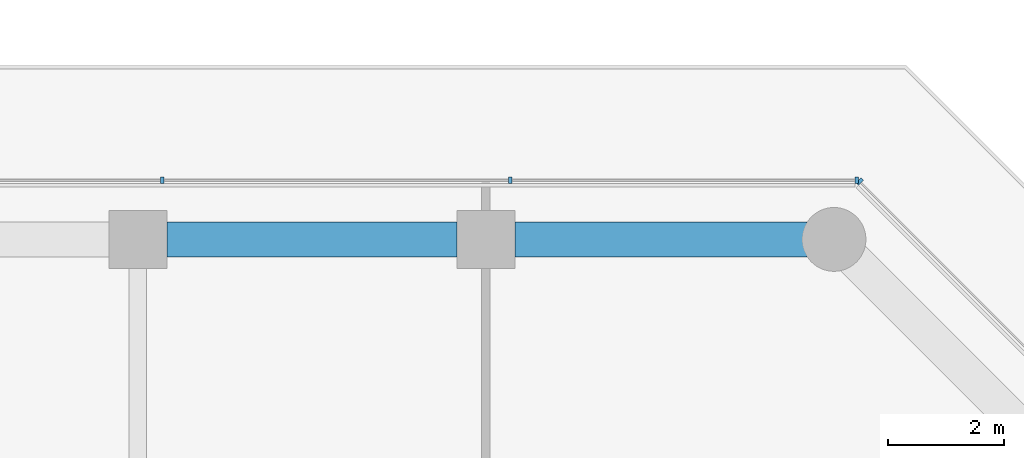
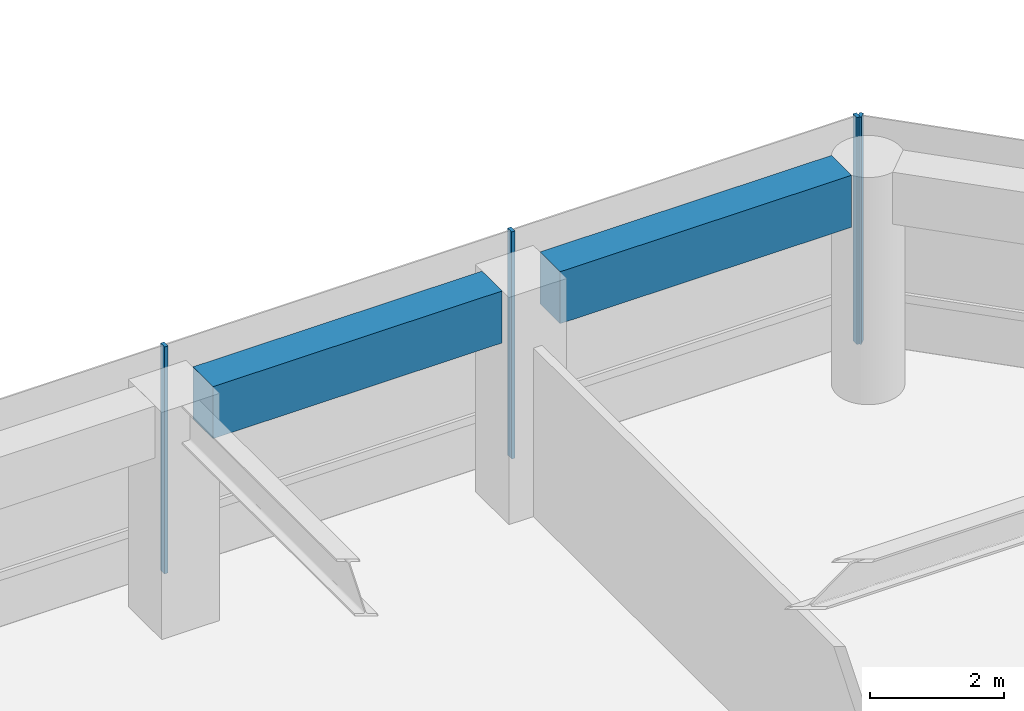
# One storey, part 10 of 24: 4 members, 2 beams, 2 elements without a shape of their own.
"""IFC4 building model written with IfcOpenShell, lengths in metres."""

import ifcopenshell
import ifcopenshell.guid

model = None  # the IFC model being written
_history = None  # IfcOwnerHistory: only IFC2X3 demands one
_inside = {}  # id of a spatial element -> (the spatial element, [elements in it])
_under = {}  # id of a project, library or spatial element -> (it, [spatial elements below it])
_declared = {}  # id of a project -> (the project, [libraries it declares])
_typed = {}  # id of a type object -> (the type object, [elements of that type])
_made_of = {}  # id of a material, layer set ... -> (it, [elements and type objects made of it])


def new_model(schema):
    """Start an empty IFC model of exactly this schema.

    Asked for "IFC4X3", IfcOpenShell would pick the latest addendum, in which some entities
    have other attributes; the version numbers below select the first issue.
    IFC2X3 requires an IfcOwnerHistory on every rooted entity: one is made here for all.
    """
    global model, _history
    if schema == "IFC4X3":
        model = ifcopenshell.file(schema_version=(4, 3, 0, 0))
    else:
        model = ifcopenshell.file(schema=schema)
    _inside.clear()
    _under.clear()
    _declared.clear()
    _typed.clear()
    _made_of.clear()
    _history = None
    if model.schema == "IFC2X3":
        org = make("IfcOrganization", Name="unknown")
        user = make(
            "IfcPersonAndOrganization",
            ThePerson=make("IfcPerson", FamilyName="unknown"),
            TheOrganization=org,
        )
        app = make(
            "IfcApplication",
            ApplicationDeveloper=org,
            Version="unknown",
            ApplicationFullName="unknown",
            ApplicationIdentifier="unknown",
        )
        _history = make(
            "IfcOwnerHistory",
            OwningUser=user,
            OwningApplication=app,
            ChangeAction="ADDED",
            CreationDate=0,
        )
    return model


def make(cls, **values):
    """One entity of the class cls with the attributes given. An attribute that is None is left unset."""
    return model.create_entity(
        cls, **{name: value for name, value in values.items() if value is not None}
    )


def rooted(cls, **values):
    """An entity with a GlobalId (a new one), such as an element, a storey or a relation."""
    return make(cls, GlobalId=ifcopenshell.guid.new(), OwnerHistory=_history, **values)


def si_unit(unit_type, name, prefix=None):
    """IfcSIUnit, for example si_unit("LENGTHUNIT", "METRE", prefix="MILLI")."""
    return make("IfcSIUnit", UnitType=unit_type, Prefix=prefix, Name=name)


def assignment(units):
    """IfcUnitAssignment: the units of a project."""
    return None if units is None else make("IfcUnitAssignment", Units=units)


def point(xyz):
    """IfcCartesianPoint."""
    return None if xyz is None else make("IfcCartesianPoint", Coordinates=xyz)


def direction(xyz):
    """IfcDirection."""
    return None if xyz is None else make("IfcDirection", DirectionRatios=xyz)


def frame(location, z_axis=None, x_axis=None):
    """IfcAxis2Placement3D, a coordinate frame: its origin and axes. An axis left out is left unset."""
    return make(
        "IfcAxis2Placement3D",
        Location=point(location),
        Axis=direction(z_axis),
        RefDirection=direction(x_axis),
    )


def frame_2d(location, x_axis=None):
    """IfcAxis2Placement2D, a coordinate frame in the plane: its origin and x axis."""
    return make(
        "IfcAxis2Placement2D", Location=point(location), RefDirection=direction(x_axis)
    )


def origin():
    """The frame at (0, 0, 0) with its axes left unset."""
    return frame((0.0, 0.0, 0.0))


def origin_2d():
    """The frame at (0, 0) in the plane with its x axis left unset."""
    return frame_2d((0.0, 0.0))


def place(relative_to, where):
    """IfcLocalPlacement: puts the frame where relative to a parent placement (None: the world)."""
    return make(
        "IfcLocalPlacement", PlacementRelTo=relative_to, RelativePlacement=where
    )


def context(
    kind, dimensions, precision=None, world=None, true_north=None, identifier=None
):
    """IfcGeometricRepresentationContext, for example the 3D "Model" context."""
    return make(
        "IfcGeometricRepresentationContext",
        ContextIdentifier=identifier,
        ContextType=kind,
        CoordinateSpaceDimension=dimensions,
        Precision=precision,
        WorldCoordinateSystem=world,
        TrueNorth=true_north,
    )


def subcontext(parent, identifier, kind, view, scale=None):
    """IfcGeometricRepresentationSubContext, for example "Body" below "Model"."""
    return make(
        "IfcGeometricRepresentationSubContext",
        ContextIdentifier=identifier,
        ContextType=kind,
        ParentContext=parent,
        TargetScale=scale,
        TargetView=view,
    )


def project(units=None, contexts=None):
    """IfcProject with its units and contexts."""
    return rooted(
        "IfcProject",
        Name="project",
        RepresentationContexts=contexts,
        UnitsInContext=assignment(units),
    )


def spatial(cls, under=None, at=None, **own):
    """A site, building, storey or space (cls), placed at a placement, below another one or the project."""
    s = rooted(cls, ObjectPlacement=at, **own)
    if under is not None:
        _under.setdefault(under.id(), (under, []))[1].append(s)
    return s


def profile(cls, at=None, kind="AREA", **sizes):
    """A parametric profile (cls). Its sizes go by their IFC names, for example OverallWidth=200.0."""
    return make(cls, ProfileType=kind, Position=at, **sizes)


def rectangle(**sizes):
    """IfcRectangleProfileDef."""
    return profile("IfcRectangleProfileDef", **sizes)


def extrude(swept, where, along, depth):
    """IfcExtrudedAreaSolid: the profile swept, set in the frame where, extruded along a direction by depth."""
    return make(
        "IfcExtrudedAreaSolid",
        SweptArea=swept,
        Position=where,
        ExtrudedDirection=direction(along),
        Depth=depth,
    )


def shape(context_of_items, identifier, shape_type, items):
    """IfcShapeRepresentation: the items that make up one representation, for example the "Body"."""
    return make(
        "IfcShapeRepresentation",
        ContextOfItems=context_of_items,
        RepresentationIdentifier=identifier,
        RepresentationType=shape_type,
        Items=items,
    )


def material(Name=None, Category=None):
    """IfcMaterial."""
    return make("IfcMaterial", Name=Name, Category=Category)


def layer(
    of_material, thickness, ventilated=None, Name=None, Category=None, Priority=None
):
    """IfcMaterialLayer: one layer of a wall or slab, of a material (None: an air gap)."""
    return make(
        "IfcMaterialLayer",
        Material=of_material,
        LayerThickness=thickness,
        IsVentilated=ventilated,
        Name=Name,
        Category=Category,
        Priority=Priority,
    )


def layer_set(layers, Name=None):
    """IfcMaterialLayerSet."""
    return make("IfcMaterialLayerSet", MaterialLayers=layers, LayerSetName=Name)


def material_profile(
    of_material, cross_section, Name=None, Category=None, Priority=None
):
    """IfcMaterialProfile: a cross section and its material."""
    return make(
        "IfcMaterialProfile",
        Name=Name,
        Material=of_material,
        Profile=cross_section,
        Priority=Priority,
        Category=Category,
    )


def profile_set(profiles, Name=None, composite=None):
    """IfcMaterialProfileSet."""
    return make(
        "IfcMaterialProfileSet",
        Name=Name,
        MaterialProfiles=profiles,
        CompositeProfile=composite,
    )


def made_of(thing, what):
    """Note that an element or type object is made of a material, layer set ...; save() writes the relation."""
    if what is not None:
        _made_of.setdefault(what.id(), (what, []))[1].append(thing)
    return thing


def type_object(cls, material=None, **own):
    """A type object (cls), such as IfcWallType, which elements share."""
    return made_of(rooted(cls, **own), material)


def element(
    cls,
    number,
    at=None,
    inside=None,
    cuts=None,
    type_object=None,
    material=None,
    context=None,
    identifier="Body",
    shape_type=None,
    held_by="IfcProductDefinitionShape",
    body=None,
    shapes=None,
    **own,
):
    """One element of the class cls, such as IfcWall. Its Tag is "e" and its number.

    at: its placement. inside: the storey or other place that contains it. cuts: it is an
    opening in that element (IfcRelVoidsElement). A single representation is given by context,
    identifier, shape_type and body (its items); several are given by shapes. held_by: the class
    of the entity that holds the representations. save() writes the other relations.
    """
    e = rooted(cls, Tag="e%d" % number, ObjectPlacement=at, **own)
    if body is not None:
        shapes = [shape(context, identifier, shape_type, body)]
    if shapes is not None:
        e.Representation = make(held_by, Representations=shapes)
    if inside is not None:
        _inside.setdefault(inside.id(), (inside, []))[1].append(e)
    if cuts is not None:
        rooted(
            "IfcRelVoidsElement", RelatingBuildingElement=cuts, RelatedOpeningElement=e
        )
    if type_object is not None:
        _typed.setdefault(type_object.id(), (type_object, []))[1].append(e)
    return made_of(e, material)


def aggregate(whole, parts):
    """IfcRelAggregates: a whole, such as a stair, and the parts it consists of."""
    return rooted("IfcRelAggregates", RelatingObject=whole, RelatedObjects=parts)


def save(model, path):
    """Write the relations noted so far, then the file.

    IfcRelAggregates (storeys below a building ...), IfcRelContainedInSpatialStructure (elements
    in a storey), IfcRelDefinesByType, IfcRelAssociatesMaterial and IfcRelDeclares: one each for
    every whole, place, type object, material and project.
    """
    for whole, parts in _under.values():
        aggregate(whole, parts)
    for where, things in _inside.values():
        rooted(
            "IfcRelContainedInSpatialStructure",
            RelatedElements=things,
            RelatingStructure=where,
        )
    for kind, things in _typed.values():
        rooted("IfcRelDefinesByType", RelatedObjects=things, RelatingType=kind)
    for what, things in _made_of.values():
        rooted("IfcRelAssociatesMaterial", RelatedObjects=things, RelatingMaterial=what)
    for by, libraries in _declared.values():
        rooted("IfcRelDeclares", RelatingContext=by, RelatedDefinitions=libraries)
    model.write(path)


model = new_model("IFC4")

# Units and contexts
model_context = context("Model", 3, precision=1e-05, world=origin(), true_north=direction((0.0, 1.0)))
body_context = subcontext(model_context, "Body", "Model", "MODEL_VIEW")
ifc_project = project(units=[si_unit("LENGTHUNIT", "METRE"), si_unit("AREAUNIT", "SQUARE_METRE"), si_unit("VOLUMEUNIT", "CUBIC_METRE"), si_unit("PLANEANGLEUNIT", "RADIAN"), si_unit("MASSUNIT", "GRAM", prefix="KILO")], contexts=[model_context])

# Site, building, storey
site_placement = place(None, origin())
site = spatial("IfcSite", under=ifc_project, at=site_placement, CompositionType="ELEMENT")
building_placement = place(site_placement, origin())
building = spatial("IfcBuilding", under=site, at=building_placement, Name="Welwitschia Terrace Campus", CompositionType="ELEMENT")
storey_placement = place(building_placement, frame((0.0, 0.0, 20.0)))
storey = spatial("IfcBuildingStorey", under=building, at=storey_placement, Name="L04", CompositionType="ELEMENT", Elevation=20.0)

# Curtain wall, member
ifc_material_1 = material(Name="Bronze anodised aluminium", Category="aluminium")
ifc_layer = layer(ifc_material_1, 0.1201171875)
ifc_layer_set = layer_set([ifc_layer], Name="Bronze anodised aluminium")
curtain_wall_type = type_object("IfcCurtainWallType", Name="Curtain wall CW2 tower 6000", PredefinedType="NOTDEFINED", material=ifc_layer_set)
curtain_wall_1_placement = place(storey_placement, origin())
curtain_wall_1 = element("IfcCurtainWall", 1, at=curtain_wall_1_placement, inside=storey, type_object=curtain_wall_type, Name="CW L04.4.0", PredefinedType="NOTDEFINED")
ifc_material_2 = material(Name="Bronze anodised aluminium", Category="aluminium")
ifc_material_profile_1 = material_profile(ifc_material_2, rectangle(XDim=0.1201171875, YDim=0.06005859375, at=origin_2d()))
ifc_profile_set_1 = profile_set([ifc_material_profile_1], Name="Bronze anodised aluminium")
member_type = type_object("IfcMemberType", Name="Mullion 60x120", PredefinedType="MULLION", material=ifc_profile_set_1)
member_1_placement = place(storey_placement, frame((60.443603515625, 20.998779296875, 0.0), z_axis=(0.0, 0.0, 1.0), x_axis=(-0.707106781187, -0.707106781187, 0.0)))
member_1 = element("IfcMember", 2, at=member_1_placement, type_object=member_type, Name="Mullion L04.4.0.2", PredefinedType="MULLION", context=body_context, shape_type="SweptSolid", body=[
    extrude(rectangle(XDim=0.1201171875, YDim=0.06005859375, at=origin_2d()), origin(), (0.0, 0.0, 1.0), 4.14990234375),
])
aggregate(curtain_wall_1, [member_1])

# Curtain wall, members
curtain_wall_2_placement = place(storey_placement, origin())
curtain_wall_2 = element("IfcCurtainWall", 3, at=curtain_wall_2_placement, inside=storey, type_object=curtain_wall_type, Name="CW L04.5.0", PredefinedType="NOTDEFINED")
member_2_placement = place(storey_placement, frame((60.392578125, 21.02001953125, 0.0), z_axis=(0.0, 0.0, 1.0), x_axis=(0.0, -1.0, 0.0)))
member_2 = element("IfcMember", 4, at=member_2_placement, type_object=member_type, Name="Mullion L04.5.0.0", PredefinedType="MULLION", context=body_context, shape_type="SweptSolid", body=[
    extrude(rectangle(XDim=0.1201171875, YDim=0.06005859375, at=origin_2d()), origin(), (0.0, 0.0, 1.0), 4.14990234375),
])
member_3_placement = place(storey_placement, frame((54.422607421875, 21.02001953125, 0.0), z_axis=(0.0, 0.0, 1.0), x_axis=(0.0, -1.0, 0.0)))
member_3 = element("IfcMember", 5, at=member_3_placement, type_object=member_type, Name="Mullion L04.5.0.1", PredefinedType="MULLION", context=body_context, shape_type="SweptSolid", body=[
    extrude(rectangle(XDim=0.1201171875, YDim=0.06005859375, at=origin_2d()), origin(), (0.0, 0.0, 1.0), 4.14990234375),
])
member_4_placement = place(storey_placement, frame((48.422607421875, 21.02001953125, 0.0), z_axis=(0.0, 0.0, 1.0), x_axis=(0.0, -1.0, 0.0)))
member_4 = element("IfcMember", 6, at=member_4_placement, type_object=member_type, Name="Mullion L04.5.0.2", PredefinedType="MULLION", context=body_context, shape_type="SweptSolid", body=[
    extrude(rectangle(XDim=0.1201171875, YDim=0.06005859375, at=origin_2d()), origin(), (0.0, 0.0, 1.0), 4.14990234375),
])
aggregate(curtain_wall_2, [member_2, member_3, member_4])

# Beams
ifc_material_3 = material(Name="Concrete C60/75", Category="concrete")
ifc_material_profile_2 = material_profile(ifc_material_3, rectangle(XDim=0.60009765625, YDim=0.949951171875, at=origin_2d()))
ifc_profile_set_2 = profile_set([ifc_material_profile_2], Name="Concrete C60/75")
beam_type = type_object("IfcBeamType", Name="Ring spandrel 600x950", PredefinedType="SPANDREL", material=ifc_profile_set_2)
beam_1_placement = place(storey_placement, frame((59.53857421875, 20.0, 3.675048828125), z_axis=(-1.0, 0.0, 0.0), x_axis=(0.0, -1.0, 0.0)))
element("IfcBeam", 7, at=beam_1_placement, inside=storey, type_object=beam_type, Name="Spandrel SP1", PredefinedType="SPANDREL", context=body_context, shape_type="SweptSolid", body=[
    extrude(rectangle(XDim=0.60009765625, YDim=0.949951171875, at=origin_2d()), origin(), (0.0, 0.0, 1.0), 5.0380859375),
])
beam_2_placement = place(storey_placement, frame((53.49951171875, 20.0, 3.675048828125), z_axis=(-1.0, 0.0, 0.0), x_axis=(0.0, -1.0, 0.0)))
element("IfcBeam", 8, at=beam_2_placement, inside=storey, type_object=beam_type, Name="Spandrel SP1", PredefinedType="SPANDREL", context=body_context, shape_type="SweptSolid", body=[
    extrude(rectangle(XDim=0.60009765625, YDim=0.949951171875, at=origin_2d()), origin(), (0.0, 0.0, 1.0), 4.9990234375),
])

save(model, "model.ifc")
